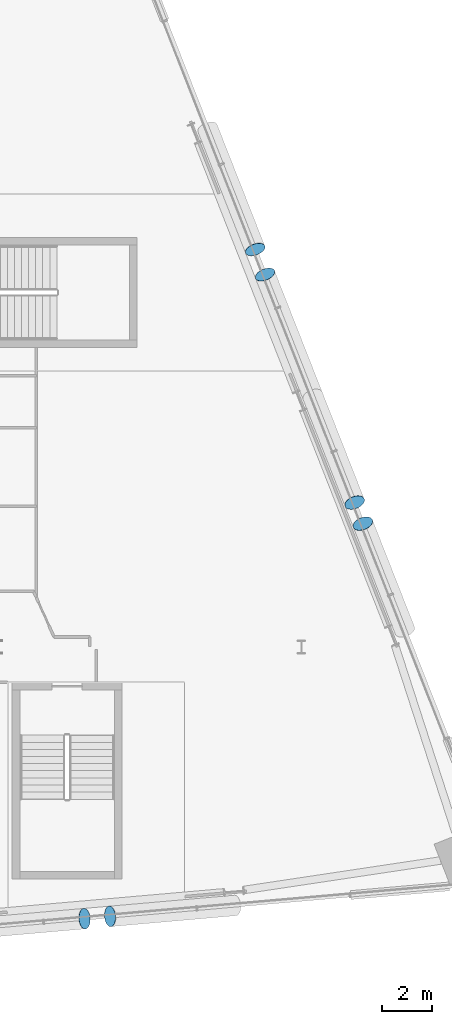
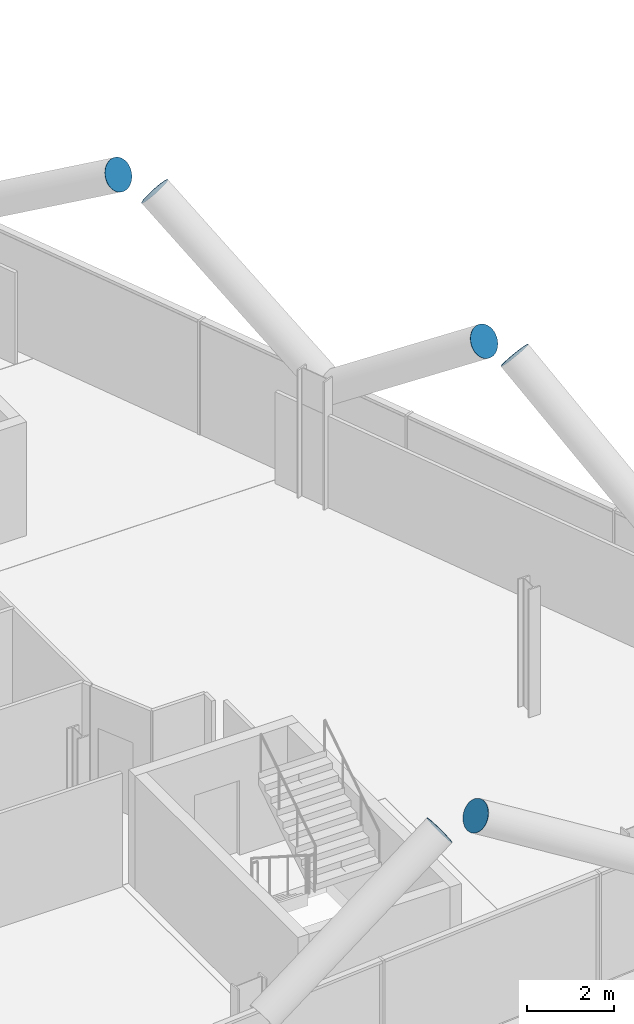
# One storey, part 21 of 25: 6 discrete accessories.
"""IFC4 building model written with IfcOpenShell, lengths in metres."""

from ifc_helpers import new_model, si_unit, direction, frame, origin, origin_2d, place, context, subcontext, project, spatial, circle, extrude, material, material_profile, profile_set, type_object, element, save


model = new_model("IFC4")

# Units and contexts
model_context = context("Model", 3, precision=1e-05, world=origin(), true_north=direction((0.0, 1.0)))
body_context = subcontext(model_context, "Body", "Model", "MODEL_VIEW")
ifc_project = project(units=[si_unit("LENGTHUNIT", "METRE"), si_unit("AREAUNIT", "SQUARE_METRE"), si_unit("VOLUMEUNIT", "CUBIC_METRE"), si_unit("PLANEANGLEUNIT", "RADIAN"), si_unit("MASSUNIT", "GRAM", prefix="KILO")], contexts=[model_context])

# Site, building, storey
site_placement = place(None, origin())
site = spatial("IfcSite", under=ifc_project, at=site_placement, CompositionType="ELEMENT")
building_placement = place(site_placement, origin())
building = spatial("IfcBuilding", under=site, at=building_placement, Name="Wharfspan Tower", CompositionType="ELEMENT")
storey_placement = place(building_placement, frame((0.0, 0.0, 121.899902)))
storey = spatial("IfcBuildingStorey", under=building, at=storey_placement, Name="L28", CompositionType="ELEMENT", Elevation=121.899902)

# Discrete accessories
ifc_material = material(Name="Steel S460NH", Category="steel")
ifc_material_profile = material_profile(ifc_material, circle(Radius=0.406494, at=origin_2d()))
ifc_profile_set = profile_set([ifc_material_profile], Name="Steel S460NH")
discrete_accessory_type = type_object("IfcDiscreteAccessoryType", Name="End plate CHS 813x40", PredefinedType="BRACKET", material=ifc_profile_set)
for number, where, z_axis, x_axis, name in (
    (1, (75.401855, 0.73291, 6.162354), (0.838548, 0.049326, 0.54259), (-0.058722, 0.99827, 1e-06), "End plate CHS 813x40"),
    (2, (76.427002, 0.82251, 6.162354), (-0.844416, -0.072379, 0.530776), (0.085402, -0.99635, 0.0), "End plate CHS 813x40"),
    (3, (82.563477, 26.251709, 6.158447), (-0.317451, 0.781418, 0.537225), (-0.92647, -0.376377, -2e-06), "End plate CHS 813x40"),
    (4, (82.168213, 27.257812, 6.158447), (0.289598, -0.796395, 0.53093), (0.939792, 0.341743, 1e-06), "End plate CHS 813x40"),
    (5, (86.442627, 16.381348, 6.172363), (-0.292683, 0.756098, 0.585366), (-0.932565, -0.360992, -1e-06), "End plate CHS 813x40"),
    (6, (86.109863, 17.228027, 6.172363), (0.292683, -0.756098, 0.585366), (0.932565, 0.360992, -1e-06), "End plate CHS 813x40"),
):
    element("IfcDiscreteAccessory", number, at=place(storey_placement, frame(where, z_axis=z_axis, x_axis=x_axis)), inside=storey, type_object=discrete_accessory_type, Name=name, PredefinedType="BRACKET", context=body_context, shape_type="SweptSolid", body=[
        extrude(circle(Radius=0.406494, at=origin_2d()), origin(), (0.0, 0.0, 1.0), 0.01001),
    ])

save(model, "model.ifc")
